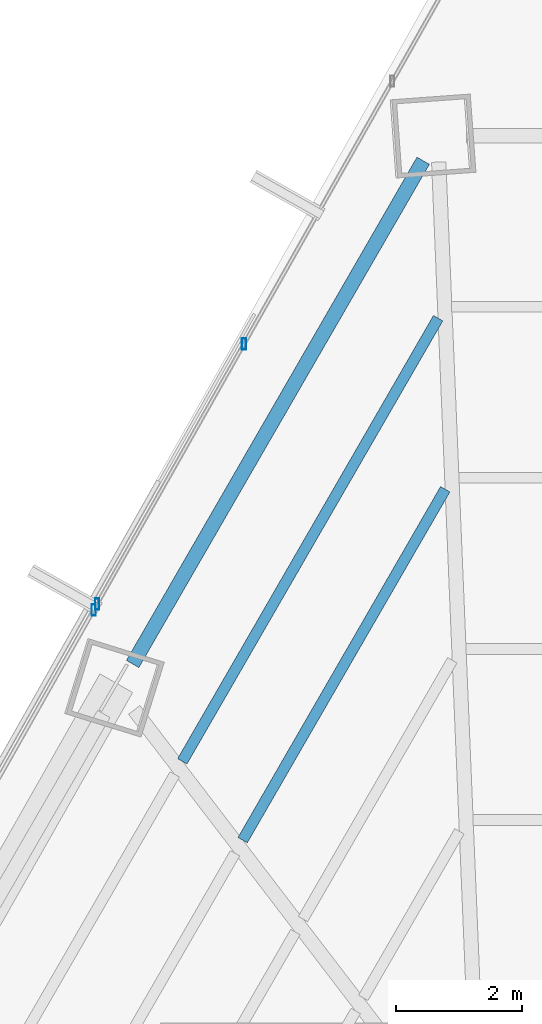
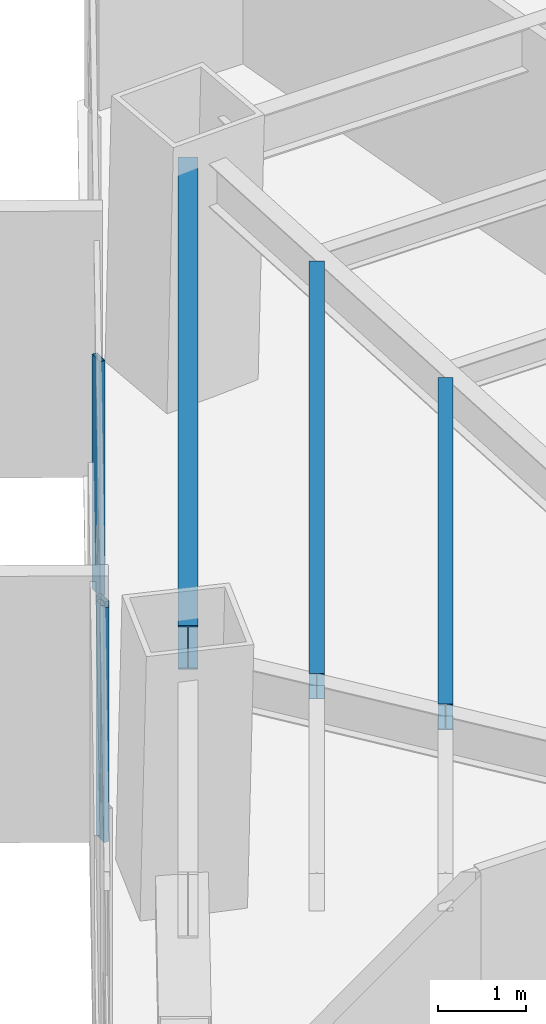
# One storey, part 25 of 39: 3 beams, 3 members, 2 elements without a shape of their own.
"""IFC4 building model written with IfcOpenShell, lengths in metres."""

from ifc_helpers import new_model, si_unit, direction, frame, origin, origin_2d, place, context, subcontext, project, spatial, hollow_rectangle, i_section, extrude, source, transform, mapped, material, material_profile, profile_set, type_object, type_shapes, element, aggregate, save


model = new_model("IFC4")

# Units and contexts
model_context = context("Model", 3, precision=1e-05, world=origin(), true_north=direction((0.0, 1.0)))
body_context = subcontext(model_context, "Body", "Model", "MODEL_VIEW")
ifc_project = project(units=[si_unit("LENGTHUNIT", "METRE"), si_unit("AREAUNIT", "SQUARE_METRE"), si_unit("VOLUMEUNIT", "CUBIC_METRE"), si_unit("PLANEANGLEUNIT", "RADIAN"), si_unit("MASSUNIT", "GRAM", prefix="KILO")], contexts=[model_context])

# Site, building, storey
site_placement = place(None, origin())
site = spatial("IfcSite", under=ifc_project, at=site_placement, CompositionType="ELEMENT")
building_placement = place(site_placement, origin())
building = spatial("IfcBuilding", under=site, at=building_placement, Name="Caelisora Broadcast Tower", CompositionType="ELEMENT")
storey_placement = place(building_placement, frame((0.0, 0.0, 71.39990234375)))
storey = spatial("IfcBuildingStorey", under=building, at=storey_placement, Name="L18", CompositionType="ELEMENT", Elevation=71.39990234375)

# Beams
ifc_material_1 = material(Name="Steel Grade 350 (AS/NZS 3679.1)", Category="steel")
ifc_material_profile_1 = material_profile(ifc_material_1, i_section(OverallWidth=0.22900390625, OverallDepth=0.611572265625, WebThickness=0.011962890625, FlangeThickness=0.01953125, at=origin_2d()), Name="Steel Grade 350 (AS/NZS 3679.1)")
ifc_profile_set_1 = profile_set([ifc_material_profile_1], Name="Steel Grade 350 (AS/NZS 3679.1)")
beam_type_1 = type_object("IfcBeamType", Name="PG03", PredefinedType="BEAM", material=ifc_profile_set_1)
shared_shape_1 = source(origin(), body_context, "Body", "SweptSolid", [
    extrude(i_section(OverallWidth=0.22900390625, OverallDepth=0.611572265625, WebThickness=0.011962890625, FlangeThickness=0.01953125, at=origin_2d()), origin(), (0.0, 0.0, 1.0), 9.2607421875),
])
type_shapes(beam_type_1, [shared_shape_1])
beam_1_placement = place(storey_placement, frame((29.592041015625, 45.95703125, 2.9443359375), z_axis=(-0.500020635044, -0.866013489808, 0.0), x_axis=(0.866013489808, -0.500020635044, 0.0)))
element("IfcBeam", 1, at=beam_1_placement, inside=storey, type_object=beam_type_1, Name="L18 beam PG03", PredefinedType="BEAM", context=body_context, shape_type="MappedRepresentation", body=[
    mapped(shared_shape_1, transform((0.0, 0.0, 0.0), scale=1.0)),
])
ifc_material_profile_2 = material_profile(ifc_material_1, i_section(OverallWidth=0.172119140625, OverallDepth=0.358642578125, WebThickness=0.008056640625, FlangeThickness=0.012939453125, at=origin_2d()), Name="Steel Grade 350 (AS/NZS 3679.1)")
ifc_profile_set_2 = profile_set([ifc_material_profile_2], Name="Steel Grade 350 (AS/NZS 3679.1)")
beam_type_2 = type_object("IfcBeamType", Name="SB02", PredefinedType="JOIST", material=ifc_profile_set_2)
shared_shape_2 = source(origin(), body_context, "Body", "SweptSolid", [
    extrude(i_section(OverallWidth=0.172119140625, OverallDepth=0.358642578125, WebThickness=0.008056640625, FlangeThickness=0.012939453125, at=origin_2d()), origin(), (0.0, 0.0, 1.0), 6.45703125),
])
beam_2_placement = place(storey_placement, frame((29.943115234375, 40.721923828125, 3.07080078125), z_axis=(-0.499994104079, -0.866028807769, 0.0), x_axis=(0.866028807769, -0.499994104079, 0.0)))
element("IfcBeam", 2, at=beam_2_placement, inside=storey, type_object=beam_type_2, Name="L18 beam SB02", PredefinedType="JOIST", context=body_context, shape_type="MappedRepresentation", body=[
    mapped(shared_shape_2, transform((0.0, 0.0, 0.0), scale=1.0)),
])
shared_shape_3 = source(origin(), body_context, "Body", "SweptSolid", [
    extrude(i_section(OverallWidth=0.172119140625, OverallDepth=0.358642578125, WebThickness=0.008056640625, FlangeThickness=0.012939453125, at=origin_2d()), origin(), (0.0, 0.0, 1.0), 8.15380859375),
])
type_shapes(beam_type_2, [shared_shape_2, shared_shape_3])
beam_3_placement = place(storey_placement, frame((29.830078125, 43.44775390625, 3.07080078125), z_axis=(-0.50000669578, -0.866021537939, 0.0), x_axis=(0.866021537939, -0.50000669578, 0.0)))
element("IfcBeam", 3, at=beam_3_placement, inside=storey, type_object=beam_type_2, Name="L18 beam SB02", PredefinedType="JOIST", context=body_context, shape_type="MappedRepresentation", body=[
    mapped(shared_shape_3, transform((0.0, 0.0, 0.0), scale=1.0)),
])

# Curtain wall, member
ifc_material_2 = material(Name="Unitised Aluminium Insulated Shadow-Box Spandrel Curtain Wall", Category="aluminium")
curtain_wall_type_1 = type_object("IfcCurtainWallType", Name="CW-SP1", PredefinedType="NOTDEFINED", material=ifc_material_2)
curtain_wall_1_placement = place(storey_placement, origin())
curtain_wall_1 = element("IfcCurtainWall", 4, at=curtain_wall_1_placement, inside=storey, type_object=curtain_wall_type_1, Name="L18 curtain wall CW-SP1", PredefinedType="NOTDEFINED")
ifc_material_3 = material(Name="Aluminium 6063-T6 Anodised Terracotta Bronze", Category="aluminium")
ifc_material_profile_3 = material_profile(ifc_material_3, hollow_rectangle(XDim=0.06494140625, YDim=0.179931640625, WallThickness=0.00341796875, at=origin_2d()), Name="Aluminium 6063-T6 Anodised Terracotta Bronze")
ifc_profile_set_3 = profile_set([ifc_material_profile_3], Name="Aluminium 6063-T6 Anodised Terracotta Bronze")
member_type = type_object("IfcMemberType", Name="CWM-02", PredefinedType="MULLION", material=ifc_profile_set_3)
shared_shape_4 = source(origin(), body_context, "Body", "SweptSolid", [
    extrude(hollow_rectangle(XDim=0.06494140625, YDim=0.179931640625, WallThickness=0.00341796875, at=origin_2d()), origin(), (0.0, 0.0, 1.0), 3.25),
])
type_shapes(member_type, [shared_shape_4])
member_1_placement = place(storey_placement, frame((24.341064453125, 38.7978515625, 0.0), z_axis=(0.0, 0.0, 1.0), x_axis=(1.0, 0.0, 0.0)))
member_1 = element("IfcMember", 5, at=member_1_placement, type_object=member_type, Name="L18-CW-B10 mullion #3", PredefinedType="MULLION", context=body_context, shape_type="MappedRepresentation", body=[
    mapped(shared_shape_4, transform((0.0, 0.0, 0.0), scale=1.0)),
])
aggregate(curtain_wall_1, [member_1])

# Curtain wall, members
ifc_material_4 = material(Name="Unitised Aluminium and Low-E Glass Curtain Wall", Category="glass")
curtain_wall_type_2 = type_object("IfcCurtainWallType", Name="CW-Z1", PredefinedType="NOTDEFINED", material=ifc_material_4)
curtain_wall_2_placement = place(storey_placement, origin())
curtain_wall_2 = element("IfcCurtainWall", 6, at=curtain_wall_2_placement, inside=storey, type_object=curtain_wall_type_2, Name="L18 curtain wall CW-Z1", PredefinedType="NOTDEFINED")
member_2_placement = place(storey_placement, frame((24.395263671875, 38.8935546875, 0.0), z_axis=(0.0, 0.0, 1.0), x_axis=(1.0, 0.0, 0.0)))
member_2 = element("IfcMember", 7, at=member_2_placement, type_object=member_type, Name="L18-CW-B11 mullion #0", PredefinedType="MULLION", context=body_context, shape_type="MappedRepresentation", body=[
    mapped(shared_shape_4, transform((0.0, 0.0, 0.0), scale=1.0)),
])
member_3_placement = place(storey_placement, frame((26.736083984375, 43.037109375, 0.0), z_axis=(0.0, 0.0, 1.0), x_axis=(1.0, 0.0, 0.0)))
member_3 = element("IfcMember", 8, at=member_3_placement, type_object=member_type, Name="L18-CW-B11 mullion #1", PredefinedType="MULLION", context=body_context, shape_type="MappedRepresentation", body=[
    mapped(shared_shape_4, transform((0.0, 0.0, 0.0), scale=1.0)),
])
aggregate(curtain_wall_2, [member_2, member_3])

save(model, "model.ifc")
